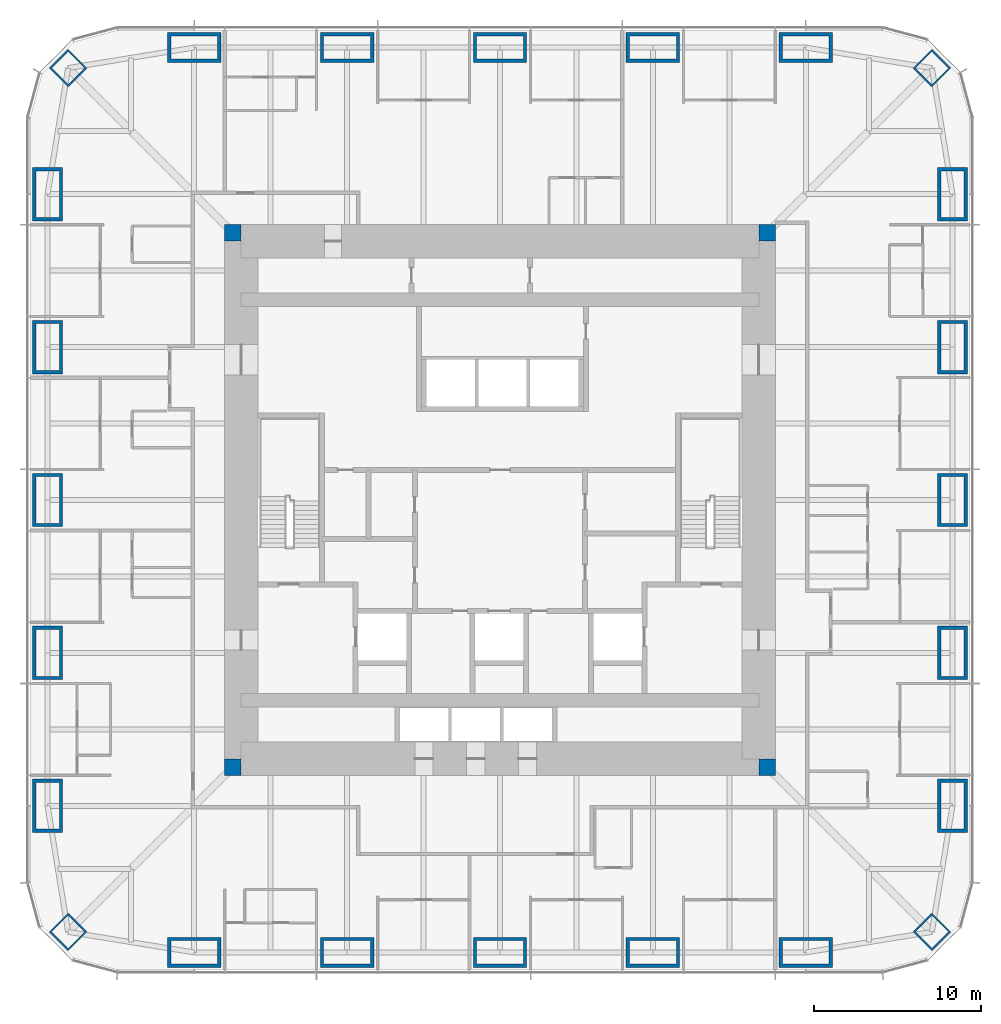
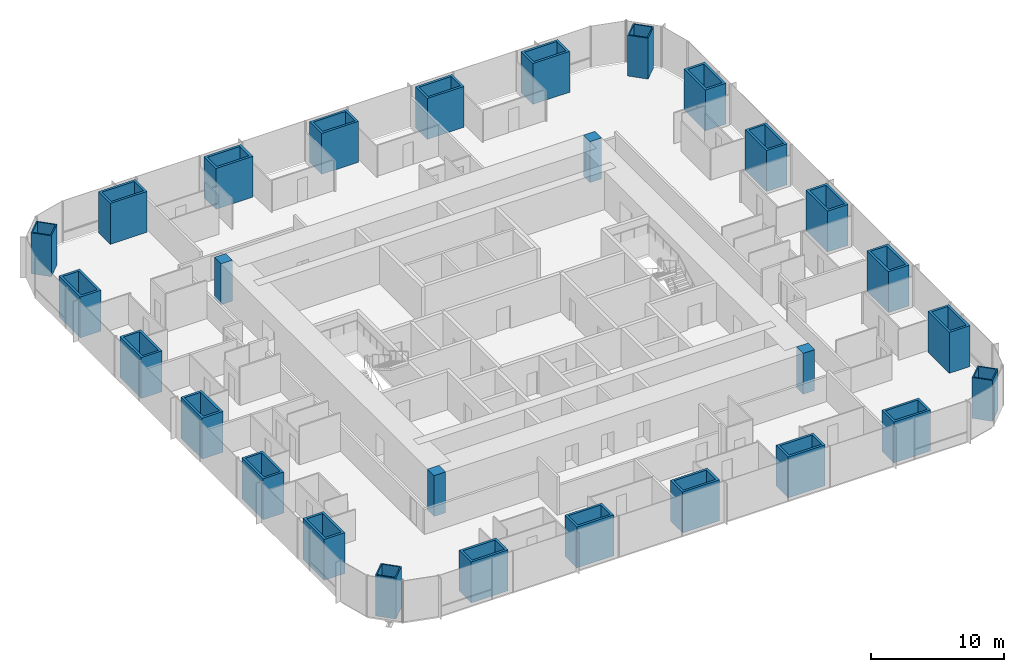
# One storey, part 1 of 12: 28 columns.
"""IFC4 building model written with IfcOpenShell, lengths in metres."""

import ifcopenshell
import ifcopenshell.guid

model = None  # the IFC model being written
_history = None  # IfcOwnerHistory: only IFC2X3 demands one
_inside = {}  # id of a spatial element -> (the spatial element, [elements in it])
_under = {}  # id of a project, library or spatial element -> (it, [spatial elements below it])
_declared = {}  # id of a project -> (the project, [libraries it declares])
_typed = {}  # id of a type object -> (the type object, [elements of that type])
_made_of = {}  # id of a material, layer set ... -> (it, [elements and type objects made of it])


def new_model(schema):
    """Start an empty IFC model of exactly this schema.

    Asked for "IFC4X3", IfcOpenShell would pick the latest addendum, in which some entities
    have other attributes; the version numbers below select the first issue.
    IFC2X3 requires an IfcOwnerHistory on every rooted entity: one is made here for all.
    """
    global model, _history
    if schema == "IFC4X3":
        model = ifcopenshell.file(schema_version=(4, 3, 0, 0))
    else:
        model = ifcopenshell.file(schema=schema)
    _inside.clear()
    _under.clear()
    _declared.clear()
    _typed.clear()
    _made_of.clear()
    _history = None
    if model.schema == "IFC2X3":
        org = make("IfcOrganization", Name="unknown")
        user = make(
            "IfcPersonAndOrganization",
            ThePerson=make("IfcPerson", FamilyName="unknown"),
            TheOrganization=org,
        )
        app = make(
            "IfcApplication",
            ApplicationDeveloper=org,
            Version="unknown",
            ApplicationFullName="unknown",
            ApplicationIdentifier="unknown",
        )
        _history = make(
            "IfcOwnerHistory",
            OwningUser=user,
            OwningApplication=app,
            ChangeAction="ADDED",
            CreationDate=0,
        )
    return model


def make(cls, **values):
    """One entity of the class cls with the attributes given. An attribute that is None is left unset."""
    return model.create_entity(
        cls, **{name: value for name, value in values.items() if value is not None}
    )


def rooted(cls, **values):
    """An entity with a GlobalId (a new one), such as an element, a storey or a relation."""
    return make(cls, GlobalId=ifcopenshell.guid.new(), OwnerHistory=_history, **values)


def si_unit(unit_type, name, prefix=None):
    """IfcSIUnit, for example si_unit("LENGTHUNIT", "METRE", prefix="MILLI")."""
    return make("IfcSIUnit", UnitType=unit_type, Prefix=prefix, Name=name)


def assignment(units):
    """IfcUnitAssignment: the units of a project."""
    return None if units is None else make("IfcUnitAssignment", Units=units)


def point(xyz):
    """IfcCartesianPoint."""
    return None if xyz is None else make("IfcCartesianPoint", Coordinates=xyz)


def direction(xyz):
    """IfcDirection."""
    return None if xyz is None else make("IfcDirection", DirectionRatios=xyz)


def frame(location, z_axis=None, x_axis=None):
    """IfcAxis2Placement3D, a coordinate frame: its origin and axes. An axis left out is left unset."""
    return make(
        "IfcAxis2Placement3D",
        Location=point(location),
        Axis=direction(z_axis),
        RefDirection=direction(x_axis),
    )


def frame_2d(location, x_axis=None):
    """IfcAxis2Placement2D, a coordinate frame in the plane: its origin and x axis."""
    return make(
        "IfcAxis2Placement2D", Location=point(location), RefDirection=direction(x_axis)
    )


def origin():
    """The frame at (0, 0, 0) with its axes left unset."""
    return frame((0.0, 0.0, 0.0))


def origin_2d():
    """The frame at (0, 0) in the plane with its x axis left unset."""
    return frame_2d((0.0, 0.0))


def place(relative_to, where):
    """IfcLocalPlacement: puts the frame where relative to a parent placement (None: the world)."""
    return make(
        "IfcLocalPlacement", PlacementRelTo=relative_to, RelativePlacement=where
    )


def context(
    kind, dimensions, precision=None, world=None, true_north=None, identifier=None
):
    """IfcGeometricRepresentationContext, for example the 3D "Model" context."""
    return make(
        "IfcGeometricRepresentationContext",
        ContextIdentifier=identifier,
        ContextType=kind,
        CoordinateSpaceDimension=dimensions,
        Precision=precision,
        WorldCoordinateSystem=world,
        TrueNorth=true_north,
    )


def subcontext(parent, identifier, kind, view, scale=None):
    """IfcGeometricRepresentationSubContext, for example "Body" below "Model"."""
    return make(
        "IfcGeometricRepresentationSubContext",
        ContextIdentifier=identifier,
        ContextType=kind,
        ParentContext=parent,
        TargetScale=scale,
        TargetView=view,
    )


def project(units=None, contexts=None):
    """IfcProject with its units and contexts."""
    return rooted(
        "IfcProject",
        Name="project",
        RepresentationContexts=contexts,
        UnitsInContext=assignment(units),
    )


def spatial(cls, under=None, at=None, **own):
    """A site, building, storey or space (cls), placed at a placement, below another one or the project."""
    s = rooted(cls, ObjectPlacement=at, **own)
    if under is not None:
        _under.setdefault(under.id(), (under, []))[1].append(s)
    return s


def profile(cls, at=None, kind="AREA", **sizes):
    """A parametric profile (cls). Its sizes go by their IFC names, for example OverallWidth=200.0."""
    return make(cls, ProfileType=kind, Position=at, **sizes)


def rectangle(**sizes):
    """IfcRectangleProfileDef."""
    return profile("IfcRectangleProfileDef", **sizes)


def hollow_rectangle(**sizes):
    """IfcRectangleHollowProfileDef."""
    return profile("IfcRectangleHollowProfileDef", **sizes)


def extrude(swept, where, along, depth):
    """IfcExtrudedAreaSolid: the profile swept, set in the frame where, extruded along a direction by depth."""
    return make(
        "IfcExtrudedAreaSolid",
        SweptArea=swept,
        Position=where,
        ExtrudedDirection=direction(along),
        Depth=depth,
    )


def shape(context_of_items, identifier, shape_type, items):
    """IfcShapeRepresentation: the items that make up one representation, for example the "Body"."""
    return make(
        "IfcShapeRepresentation",
        ContextOfItems=context_of_items,
        RepresentationIdentifier=identifier,
        RepresentationType=shape_type,
        Items=items,
    )


def material(Name=None, Category=None):
    """IfcMaterial."""
    return make("IfcMaterial", Name=Name, Category=Category)


def material_profile(
    of_material, cross_section, Name=None, Category=None, Priority=None
):
    """IfcMaterialProfile: a cross section and its material."""
    return make(
        "IfcMaterialProfile",
        Name=Name,
        Material=of_material,
        Profile=cross_section,
        Priority=Priority,
        Category=Category,
    )


def profile_set(profiles, Name=None, composite=None):
    """IfcMaterialProfileSet."""
    return make(
        "IfcMaterialProfileSet",
        Name=Name,
        MaterialProfiles=profiles,
        CompositeProfile=composite,
    )


def made_of(thing, what):
    """Note that an element or type object is made of a material, layer set ...; save() writes the relation."""
    if what is not None:
        _made_of.setdefault(what.id(), (what, []))[1].append(thing)
    return thing


def type_object(cls, material=None, **own):
    """A type object (cls), such as IfcWallType, which elements share."""
    return made_of(rooted(cls, **own), material)


def element(
    cls,
    number,
    at=None,
    inside=None,
    cuts=None,
    type_object=None,
    material=None,
    context=None,
    identifier="Body",
    shape_type=None,
    held_by="IfcProductDefinitionShape",
    body=None,
    shapes=None,
    **own,
):
    """One element of the class cls, such as IfcWall. Its Tag is "e" and its number.

    at: its placement. inside: the storey or other place that contains it. cuts: it is an
    opening in that element (IfcRelVoidsElement). A single representation is given by context,
    identifier, shape_type and body (its items); several are given by shapes. held_by: the class
    of the entity that holds the representations. save() writes the other relations.
    """
    e = rooted(cls, Tag="e%d" % number, ObjectPlacement=at, **own)
    if body is not None:
        shapes = [shape(context, identifier, shape_type, body)]
    if shapes is not None:
        e.Representation = make(held_by, Representations=shapes)
    if inside is not None:
        _inside.setdefault(inside.id(), (inside, []))[1].append(e)
    if cuts is not None:
        rooted(
            "IfcRelVoidsElement", RelatingBuildingElement=cuts, RelatedOpeningElement=e
        )
    if type_object is not None:
        _typed.setdefault(type_object.id(), (type_object, []))[1].append(e)
    return made_of(e, material)


def aggregate(whole, parts):
    """IfcRelAggregates: a whole, such as a stair, and the parts it consists of."""
    return rooted("IfcRelAggregates", RelatingObject=whole, RelatedObjects=parts)


def save(model, path):
    """Write the relations noted so far, then the file.

    IfcRelAggregates (storeys below a building ...), IfcRelContainedInSpatialStructure (elements
    in a storey), IfcRelDefinesByType, IfcRelAssociatesMaterial and IfcRelDeclares: one each for
    every whole, place, type object, material and project.
    """
    for whole, parts in _under.values():
        aggregate(whole, parts)
    for where, things in _inside.values():
        rooted(
            "IfcRelContainedInSpatialStructure",
            RelatedElements=things,
            RelatingStructure=where,
        )
    for kind, things in _typed.values():
        rooted("IfcRelDefinesByType", RelatedObjects=things, RelatingType=kind)
    for what, things in _made_of.values():
        rooted("IfcRelAssociatesMaterial", RelatedObjects=things, RelatingMaterial=what)
    for by, libraries in _declared.values():
        rooted("IfcRelDeclares", RelatingContext=by, RelatedDefinitions=libraries)
    model.write(path)


model = new_model("IFC4")

# Units and contexts
model_context = context("Model", 3, precision=1e-05, world=origin(), true_north=direction((0.0, 1.0)))
body_context = subcontext(model_context, "Body", "Model", "MODEL_VIEW")
ifc_project = project(units=[si_unit("LENGTHUNIT", "METRE"), si_unit("AREAUNIT", "SQUARE_METRE"), si_unit("VOLUMEUNIT", "CUBIC_METRE"), si_unit("PLANEANGLEUNIT", "RADIAN"), si_unit("MASSUNIT", "GRAM", prefix="KILO")], contexts=[model_context])

# Site, building, storey
site_placement = place(None, origin())
site = spatial("IfcSite", under=ifc_project, at=site_placement, CompositionType="ELEMENT")
building_placement = place(site_placement, origin())
building = spatial("IfcBuilding", under=site, at=building_placement, Name="Khuree Lantern Residences", CompositionType="ELEMENT")
storey_placement = place(building_placement, frame((0.0, 0.0, 178.5)))
storey = spatial("IfcBuildingStorey", under=building, at=storey_placement, Name="L45", CompositionType="ELEMENT", Elevation=178.5)

# Columns
ifc_material_1 = material(Name="Steel S355 CFT welded box", Category="steel")
ifc_material_profile_1 = material_profile(ifc_material_1, hollow_rectangle(XDim=1.60009765625, YDim=1.60009765625, WallThickness=0.10009765625, at=origin_2d()), Name="WELDED BOX 1600X1600X100")
ifc_profile_set_1 = profile_set([ifc_material_profile_1], Name="Steel S355 CFT welded box")
column_type_1 = type_object("IfcColumnType", Name="CC1600 PERIMETER CORNER MEGA COLUMN WELDED BOX 1600X1600X100", PredefinedType="COLUMN", material=ifc_profile_set_1)
for number, where, z_axis, x_axis, name in (
    (1, (25.869873046875, 25.869873046875, 0.0), (0.0, 0.0, 1.0), (0.707106781187, -0.707106781187, 0.0), "Perimeter column NE"),
    (2, (25.869873046875, -25.869873046875, 0.0), (0.0, 0.0, 1.0), (0.707106781187, 0.707106781187, 0.0), "Perimeter column SE"),
    (3, (-25.869873046875, -25.869873046875, 0.0), (0.0, 0.0, 1.0), (0.707106781187, -0.707106781187, 0.0), "Perimeter column SW"),
    (4, (-25.869873046875, 25.869873046875, 0.0), (0.0, 0.0, 1.0), (0.707106781187, 0.707106781187, 0.0), "Perimeter column NW"),
):
    element("IfcColumn", number, at=place(storey_placement, frame(where, z_axis=z_axis, x_axis=x_axis)), inside=storey, type_object=column_type_1, Name=name, PredefinedType="COLUMN", context=body_context, shape_type="SweptSolid", body=[
        extrude(hollow_rectangle(XDim=1.60009765625, YDim=1.60009765625, WallThickness=0.10009765625, at=origin_2d()), origin(), (0.0, 0.0, 1.0), 3.75),
    ])
ifc_material_2 = material(Name="Concrete C70/85", Category="concrete")
ifc_material_profile_2 = material_profile(ifc_material_2, rectangle(XDim=1.0, YDim=1.0, at=origin_2d()), Name="RC 1000X1000")
ifc_profile_set_2 = profile_set([ifc_material_profile_2], Name="Concrete C70/85")
column_type_2 = type_object("IfcColumnType", Name="CP1000-C70 CORE CORNER PIER C70 RC 1000X1000", PredefinedType="COLUMN", material=ifc_profile_set_2)
for number, where, z_axis, x_axis, name in (
    (5, (16.0, 16.0, -0.25), (0.0, 0.0, 1.0), (1.0, 0.0, 0.0), "Core corner pier NE"),
    (6, (-16.0, 16.0, -0.25), (0.0, 0.0, 1.0), (1.0, 0.0, 0.0), "Core corner pier NW"),
    (7, (-16.0, -16.0, -0.25), (0.0, 0.0, 1.0), (1.0, 0.0, 0.0), "Core corner pier SW"),
    (8, (16.0, -16.0, -0.25), (0.0, 0.0, 1.0), (1.0, 0.0, 0.0), "Core corner pier SE"),
):
    element("IfcColumn", number, at=place(storey_placement, frame(where, z_axis=z_axis, x_axis=x_axis)), inside=storey, type_object=column_type_2, Name=name, PredefinedType="COLUMN", context=body_context, shape_type="SweptSolid", body=[
        extrude(rectangle(XDim=1.0, YDim=1.0, at=origin_2d()), origin(), (0.0, 0.0, 1.0), 3.75),
    ])
ifc_material_profile_3 = material_profile(ifc_material_1, hollow_rectangle(XDim=3.199951171875, YDim=1.800048828125, WallThickness=0.199951171875, at=origin_2d()), Name="WELDED BOX 3200X1800X200")
ifc_profile_set_3 = profile_set([ifc_material_profile_3], Name="Steel S355 CFT welded box")
column_type_3 = type_object("IfcColumnType", Name="SC1 PERIMETER MEGA COLUMN WELDED BOX 3200X1800X200", PredefinedType="COLUMN", material=ifc_profile_set_3)
for number, where, z_axis, x_axis, name in (
    (9, (-18.320068359375, 27.10009765625, 0.0), (0.0, 0.0, 1.0), (1.0, 0.0, 0.0), "Perimeter column N1"),
    (10, (-9.159912109375, 27.10009765625, 0.0), (0.0, 0.0, 1.0), (1.0, 0.0, 0.0), "Perimeter column N2"),
    (11, (0.0, 27.10009765625, 0.0), (0.0, 0.0, 1.0), (1.0, 0.0, 0.0), "Perimeter column N3"),
    (12, (9.159912109375, 27.10009765625, 0.0), (0.0, 0.0, 1.0), (1.0, 0.0, 0.0), "Perimeter column N4"),
    (13, (18.320068359375, 27.10009765625, 0.0), (0.0, 0.0, 1.0), (1.0, 0.0, 0.0), "Perimeter column N5"),
    (14, (27.10009765625, 18.320068359375, 0.0), (0.0, 0.0, 1.0), (0.0, 1.0, 0.0), "Perimeter column E1"),
    (15, (27.10009765625, 9.159912109375, 0.0), (0.0, 0.0, 1.0), (0.0, 1.0, 0.0), "Perimeter column E2"),
    (16, (27.10009765625, 0.0, 0.0), (0.0, 0.0, 1.0), (0.0, 1.0, 0.0), "Perimeter column E3"),
    (17, (27.10009765625, -9.159912109375, 0.0), (0.0, 0.0, 1.0), (0.0, 1.0, 0.0), "Perimeter column E4"),
    (18, (27.10009765625, -18.320068359375, 0.0), (0.0, 0.0, 1.0), (0.0, 1.0, 0.0), "Perimeter column E5"),
    (19, (18.320068359375, -27.10009765625, 0.0), (0.0, 0.0, 1.0), (1.0, 0.0, 0.0), "Perimeter column S1"),
    (20, (9.159912109375, -27.10009765625, 0.0), (0.0, 0.0, 1.0), (1.0, 0.0, 0.0), "Perimeter column S2"),
    (21, (0.0, -27.10009765625, 0.0), (0.0, 0.0, 1.0), (1.0, 0.0, 0.0), "Perimeter column S3"),
    (22, (-9.159912109375, -27.10009765625, 0.0), (0.0, 0.0, 1.0), (1.0, 0.0, 0.0), "Perimeter column S4"),
    (23, (-18.320068359375, -27.10009765625, 0.0), (0.0, 0.0, 1.0), (1.0, 0.0, 0.0), "Perimeter column S5"),
    (24, (-27.10009765625, -18.320068359375, 0.0), (0.0, 0.0, 1.0), (0.0, 1.0, 0.0), "Perimeter column W1"),
    (25, (-27.10009765625, -9.159912109375, 0.0), (0.0, 0.0, 1.0), (0.0, 1.0, 0.0), "Perimeter column W2"),
    (26, (-27.10009765625, 0.0, 0.0), (0.0, 0.0, 1.0), (0.0, 1.0, 0.0), "Perimeter column W3"),
    (27, (-27.10009765625, 9.159912109375, 0.0), (0.0, 0.0, 1.0), (0.0, 1.0, 0.0), "Perimeter column W4"),
    (28, (-27.10009765625, 18.320068359375, 0.0), (0.0, 0.0, 1.0), (0.0, 1.0, 0.0), "Perimeter column W5"),
):
    element("IfcColumn", number, at=place(storey_placement, frame(where, z_axis=z_axis, x_axis=x_axis)), inside=storey, type_object=column_type_3, Name=name, PredefinedType="COLUMN", context=body_context, shape_type="SweptSolid", body=[
        extrude(hollow_rectangle(XDim=3.199951171875, YDim=1.800048828125, WallThickness=0.199951171875, at=origin_2d()), origin(), (0.0, 0.0, 1.0), 3.75),
    ])

save(model, "model.ifc")
